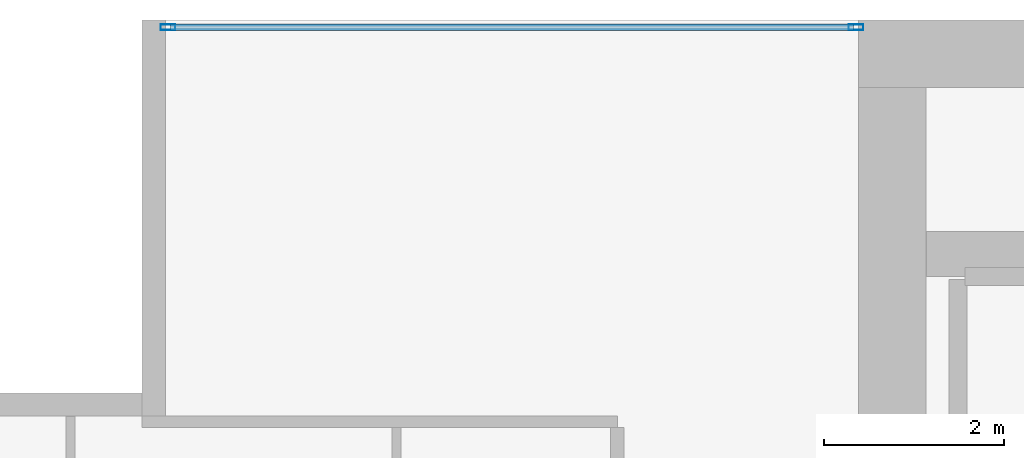
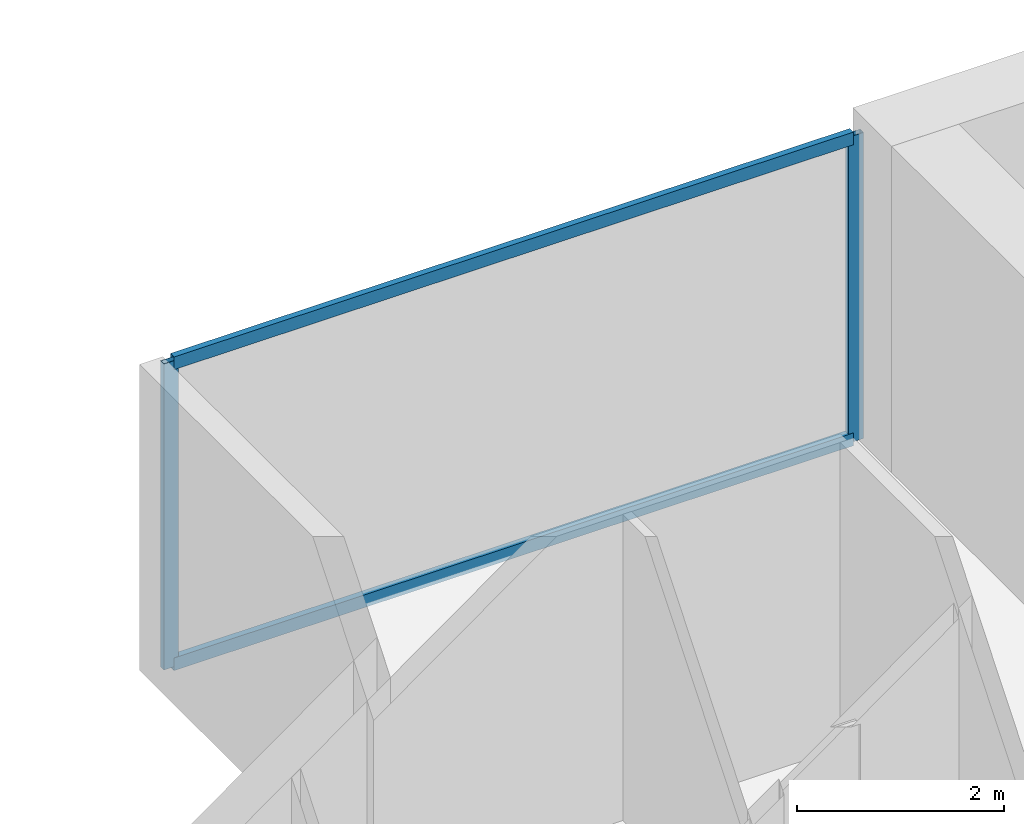
# One storey, part 22 of 33: 4 members, 1 element without a shape of its own.
"""IFC4 building model written with IfcOpenShell, lengths in metres."""

from ifc_helpers import new_model, si_unit, direction, frame, origin, origin_2d, place, context, subcontext, project, spatial, hollow_rectangle, extrude, material, layer, layer_set, material_profile, profile_set, type_object, element, aggregate, save


model = new_model("IFC4")

# Units and contexts
model_context = context("Model", 3, precision=1e-05, world=origin(), true_north=direction((0.0, 1.0)))
body_context = subcontext(model_context, "Body", "Model", "MODEL_VIEW")
ifc_project = project(units=[si_unit("LENGTHUNIT", "METRE"), si_unit("AREAUNIT", "SQUARE_METRE"), si_unit("VOLUMEUNIT", "CUBIC_METRE"), si_unit("PLANEANGLEUNIT", "RADIAN"), si_unit("MASSUNIT", "GRAM", prefix="KILO")], contexts=[model_context])

# Site, building, storey
site_placement = place(None, origin())
site = spatial("IfcSite", under=ifc_project, at=site_placement, CompositionType="ELEMENT")
building_placement = place(site_placement, origin())
building = spatial("IfcBuilding", under=site, at=building_placement, Name="Maruvema Waterfront Hotel and Observation Tower", CompositionType="ELEMENT")
storey_placement = place(building_placement, frame((0.0, 0.0, 169.75)))
storey = spatial("IfcBuildingStorey", under=building, at=storey_placement, Name="L41", CompositionType="ELEMENT", Elevation=169.75)

# Curtain wall, members
ifc_material_1 = material(Name="Anodised bronze aluminium and solar-control low-E IGU", Category="aluminium")
ifc_layer = layer(ifc_material_1, 0.159912109375, Name="Zone 2 Amber Inner Thermal Curtain Wall System CW-03")
ifc_layer_set = layer_set([ifc_layer], Name="Anodised bronze aluminium and solar-control low-E IGU")
curtain_wall_type = type_object("IfcCurtainWallType", Name="Zone 2 Amber Inner Thermal Curtain Wall System CW-03", PredefinedType="USERDEFINED", material=ifc_layer_set)
curtain_wall_placement = place(storey_placement, origin())
curtain_wall = element("IfcCurtainWall", 1, at=curtain_wall_placement, inside=storey, type_object=curtain_wall_type, Name="L41 Curtain Wall CW-L41-NW", ObjectType="UNITISED CURTAIN WALL", PredefinedType="USERDEFINED")
ifc_material_2 = material(Name="Anodised architectural bronze aluminium", Category="aluminium")
ifc_material_profile_1 = material_profile(ifc_material_2, hollow_rectangle(XDim=0.070068359375, YDim=0.14990234375, WallThickness=0.00390625, at=origin_2d()), Name="ALU-T70x150")
ifc_profile_set_1 = profile_set([ifc_material_profile_1], Name="Anodised architectural bronze aluminium")
member_type_1 = type_object("IfcMemberType", Name="Curtain Wall Horizontal Transom ALU-T70x150", PredefinedType="USERDEFINED", material=ifc_profile_set_1)
member_1_placement = place(storey_placement, frame((25.139892578125, 53.919921875, 0.030029296875), z_axis=(-1.0, 0.0, 0.0), x_axis=(0.0, -1.0, 0.0)))
member_1 = element("IfcMember", 2, at=member_1_placement, type_object=member_type_1, Name="CW-03 transom 1.1", ObjectType="TRANSOM", PredefinedType="USERDEFINED", context=body_context, shape_type="SweptSolid", body=[
    extrude(hollow_rectangle(XDim=0.070068359375, YDim=0.14990234375, WallThickness=0.00390625, at=origin_2d()), origin(), (0.0, 0.0, 1.0), 7.579833984375),
])
member_2_placement = place(storey_placement, frame((25.139892578125, 53.919921875, 3.580078125), z_axis=(-1.0, 0.0, 0.0), x_axis=(0.0, -1.0, 0.0)))
member_2 = element("IfcMember", 3, at=member_2_placement, type_object=member_type_1, Name="CW-03 transom 1.2", ObjectType="TRANSOM", PredefinedType="USERDEFINED", context=body_context, shape_type="SweptSolid", body=[
    extrude(hollow_rectangle(XDim=0.070068359375, YDim=0.14990234375, WallThickness=0.00390625, at=origin_2d()), origin(), (0.0, 0.0, 1.0), 7.579833984375),
])
ifc_material_3 = material(Name="Anodised architectural bronze aluminium", Category="aluminium")
ifc_material_profile_2 = material_profile(ifc_material_3, hollow_rectangle(XDim=0.06494140625, YDim=0.1650390625, WallThickness=0.00390625, at=origin_2d()), Name="ALU-M65x165")
ifc_profile_set_2 = profile_set([ifc_material_profile_2], Name="Anodised architectural bronze aluminium")
member_type_2 = type_object("IfcMemberType", Name="Curtain Wall Primary Mullion ALU-M65x165", PredefinedType="MULLION", material=ifc_profile_set_2)
member_3_placement = place(storey_placement, frame((25.169921875, 53.919921875, 0.0), z_axis=(0.0, 0.0, 1.0), x_axis=(0.0, -1.0, 0.0)))
member_3 = element("IfcMember", 4, at=member_3_placement, type_object=member_type_2, Name="CW-03 mullion 1", PredefinedType="MULLION", context=body_context, shape_type="SweptSolid", body=[
    extrude(hollow_rectangle(XDim=0.06494140625, YDim=0.1650390625, WallThickness=0.00390625, at=origin_2d()), origin(), (0.0, 0.0, 1.0), 3.610107421875),
])
member_4_placement = place(storey_placement, frame((17.530029296875, 53.919921875, 0.0), z_axis=(0.0, 0.0, 1.0), x_axis=(0.0, -1.0, 0.0)))
member_4 = element("IfcMember", 5, at=member_4_placement, type_object=member_type_2, Name="CW-03 mullion 2", PredefinedType="MULLION", context=body_context, shape_type="SweptSolid", body=[
    extrude(hollow_rectangle(XDim=0.06494140625, YDim=0.1650390625, WallThickness=0.00390625, at=origin_2d()), origin(), (0.0, 0.0, 1.0), 3.610107421875),
])
aggregate(curtain_wall, [member_3, member_4, member_1, member_2])

save(model, "model.ifc")
